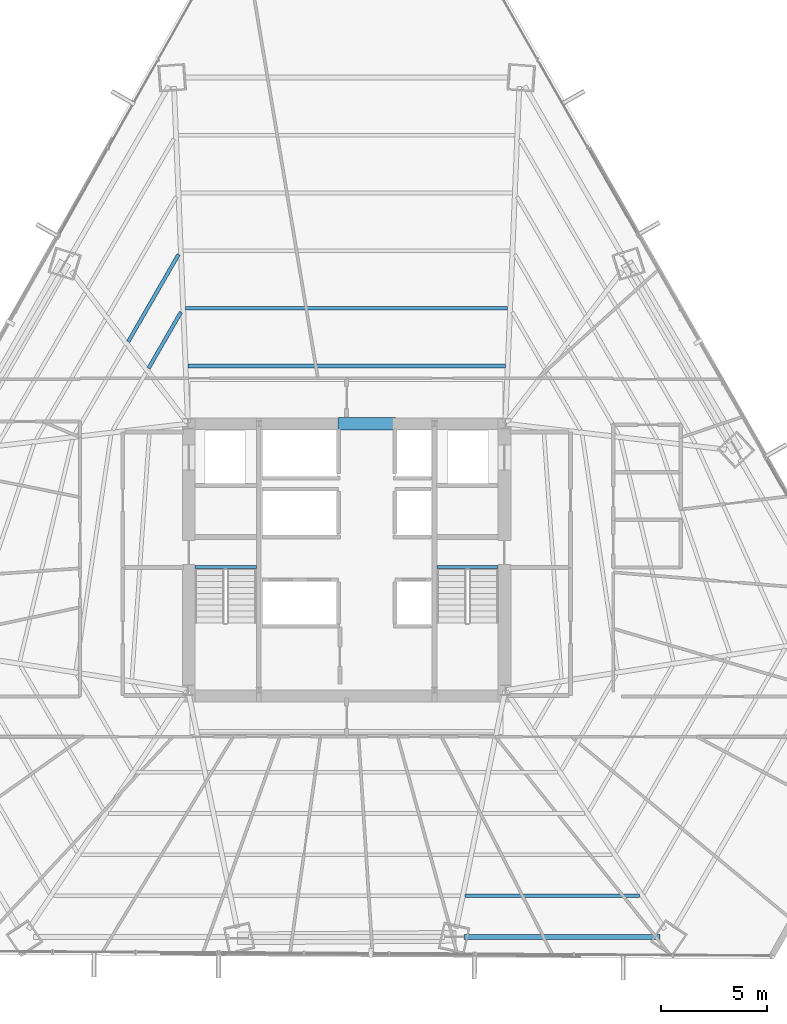
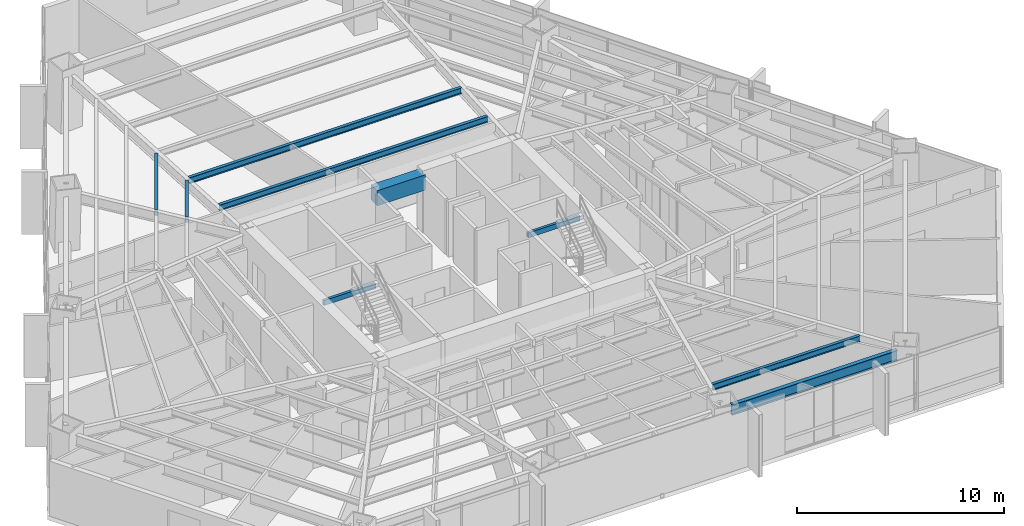
# One storey, part 14 of 39: 9 beams.
"""IFC4 building model written with IfcOpenShell, lengths in metres."""

from ifc_helpers import new_model, si_unit, direction, frame, origin, origin_2d, place, context, subcontext, project, spatial, rectangle, hollow_rectangle, i_section, extrude, source, transform, mapped, material, material_profile, profile_set, type_object, type_shapes, element, save


model = new_model("IFC4")

# Units and contexts
model_context = context("Model", 3, precision=1e-05, world=origin(), true_north=direction((0.0, 1.0)))
body_context = subcontext(model_context, "Body", "Model", "MODEL_VIEW")
ifc_project = project(units=[si_unit("LENGTHUNIT", "METRE"), si_unit("AREAUNIT", "SQUARE_METRE"), si_unit("VOLUMEUNIT", "CUBIC_METRE"), si_unit("PLANEANGLEUNIT", "RADIAN"), si_unit("MASSUNIT", "GRAM", prefix="KILO")], contexts=[model_context])

# Site, building, storey
site_placement = place(None, origin())
site = spatial("IfcSite", under=ifc_project, at=site_placement, CompositionType="ELEMENT")
building_placement = place(site_placement, origin())
building = spatial("IfcBuilding", under=site, at=building_placement, Name="Caelisora Broadcast Tower", CompositionType="ELEMENT")
storey_placement = place(building_placement, frame((0.0, 0.0, 71.39990234375)))
storey = spatial("IfcBuildingStorey", under=building, at=storey_placement, Name="L18", CompositionType="ELEMENT", Elevation=71.39990234375)

# Beams
ifc_material_1 = material(Name="Steel Grade 350 (AS/NZS 1163 C350L0)", Category="steel")
ifc_material_profile_1 = material_profile(ifc_material_1, hollow_rectangle(XDim=0.14990234375, YDim=0.300048828125, WallThickness=0.010009765625, at=origin_2d()), Name="Steel Grade 350 (AS/NZS 1163 C350L0)")
ifc_profile_set_1 = profile_set([ifc_material_profile_1], Name="Steel Grade 350 (AS/NZS 1163 C350L0)")
beam_type_1 = type_object("IfcBeamType", Name="SB05", PredefinedType="JOIST", material=ifc_profile_set_1)
shared_shape_1 = source(origin(), body_context, "Body", "SweptSolid", [
    extrude(hollow_rectangle(XDim=0.14990234375, YDim=0.300048828125, WallThickness=0.010009765625, at=origin_2d()), origin(), (0.0, 0.0, 1.0), 2.89990234375),
])
type_shapes(beam_type_1, [shared_shape_1])
for number, where, z_axis, x_axis, name in (
    (1, (30.840087890625, 23.219970703125, 3.10009765625), (1.0, 0.0, 0.0), (0.0, 1.0, 0.0), "L18 beam SB05"),
    (2, (42.260009765625, 23.219970703125, 3.10009765625), (1.0, 0.0, 0.0), (0.0, 1.0, 0.0), "L18 beam SB05"),
):
    element("IfcBeam", number, at=place(storey_placement, frame(where, z_axis=z_axis, x_axis=x_axis)), inside=storey, type_object=beam_type_1, Name=name, PredefinedType="JOIST", context=body_context, shape_type="MappedRepresentation", body=[
        mapped(shared_shape_1, transform((0.0, 0.0, 0.0), scale=1.0)),
    ])
ifc_material_2 = material(Name="Concrete 50 MPa (AS 3600 S50)", Category="concrete")
ifc_material_profile_2 = material_profile(ifc_material_2, rectangle(XDim=0.60009765625, YDim=0.89990234375, at=origin_2d()), Name="Concrete 50 MPa (AS 3600 S50)")
ifc_profile_set_2 = profile_set([ifc_material_profile_2], Name="Concrete 50 MPa (AS 3600 S50)")
beam_type_2 = type_object("IfcBeamType", Name="CB02", PredefinedType="LINTEL", material=ifc_profile_set_2)
shared_shape_2 = source(origin(), body_context, "Body", "SweptSolid", [
    extrude(rectangle(XDim=0.60009765625, YDim=0.89990234375, at=origin_2d()), origin(), (0.0, 0.0, 1.0), 2.699951171875),
])
type_shapes(beam_type_2, [shared_shape_2])
beam_1_placement = place(storey_placement, frame((37.60009765625, 30.0, 2.9501953125), z_axis=(1.0, 0.0, 0.0), x_axis=(0.0, 1.0, 0.0)))
element("IfcBeam", 3, at=beam_1_placement, inside=storey, type_object=beam_type_2, Name="L18 beam CB02", PredefinedType="LINTEL", context=body_context, shape_type="MappedRepresentation", body=[
    mapped(shared_shape_2, transform((0.0, 0.0, 0.0), scale=1.0)),
])
ifc_material_3 = material(Name="Steel Grade 350 (AS/NZS 3679.1)", Category="steel")
ifc_material_profile_3 = material_profile(ifc_material_3, i_section(OverallWidth=0.22900390625, OverallDepth=0.611572265625, WebThickness=0.011962890625, FlangeThickness=0.01953125, at=origin_2d()), Name="Steel Grade 350 (AS/NZS 3679.1)")
ifc_profile_set_3 = profile_set([ifc_material_profile_3], Name="Steel Grade 350 (AS/NZS 3679.1)")
beam_type_3 = type_object("IfcBeamType", Name="PG03", PredefinedType="BEAM", material=ifc_profile_set_3)
shared_shape_3 = source(origin(), body_context, "Body", "SweptSolid", [
    extrude(i_section(OverallWidth=0.22900390625, OverallDepth=0.611572265625, WebThickness=0.011962890625, FlangeThickness=0.01953125, at=origin_2d()), origin(), (0.0, 0.0, 1.0), 9.2607421875),
])
type_shapes(beam_type_3, [shared_shape_3])
beam_2_placement = place(storey_placement, frame((43.550537109375, 5.739990234375, 2.9443359375), z_axis=(1.0, 0.0, 0.0), x_axis=(0.0, 1.0, 0.0)))
element("IfcBeam", 4, at=beam_2_placement, inside=storey, type_object=beam_type_3, Name="L18 beam PG03", PredefinedType="BEAM", context=body_context, shape_type="MappedRepresentation", body=[
    mapped(shared_shape_3, transform((0.0, 0.0, 0.0), scale=1.0)),
])
ifc_material_profile_4 = material_profile(ifc_material_3, i_section(OverallWidth=0.172119140625, OverallDepth=0.358642578125, WebThickness=0.008056640625, FlangeThickness=0.012939453125, at=origin_2d()), Name="Steel Grade 350 (AS/NZS 3679.1)")
ifc_profile_set_4 = profile_set([ifc_material_profile_4], Name="Steel Grade 350 (AS/NZS 3679.1)")
beam_type_4 = type_object("IfcBeamType", Name="SB02", PredefinedType="JOIST", material=ifc_profile_set_4)
shared_shape_4 = source(origin(), body_context, "Body", "SweptSolid", [
    extrude(i_section(OverallWidth=0.172119140625, OverallDepth=0.358642578125, WebThickness=0.008056640625, FlangeThickness=0.012939453125, at=origin_2d()), origin(), (0.0, 0.0, 1.0), 15.00390625),
])
beam_3_placement = place(storey_placement, frame((45.501953125, 32.725830078125, 3.07080078125), z_axis=(-1.0, 0.0, 0.0), x_axis=(0.0, -1.0, 0.0)))
element("IfcBeam", 5, at=beam_3_placement, inside=storey, type_object=beam_type_4, Name="L18 beam SB02", PredefinedType="JOIST", context=body_context, shape_type="MappedRepresentation", body=[
    mapped(shared_shape_4, transform((0.0, 0.0, 0.0), scale=1.0)),
])
shared_shape_5 = source(origin(), body_context, "Body", "SweptSolid", [
    extrude(i_section(OverallWidth=0.172119140625, OverallDepth=0.358642578125, WebThickness=0.008056640625, FlangeThickness=0.012939453125, at=origin_2d()), origin(), (0.0, 0.0, 1.0), 15.22998046875),
])
beam_4_placement = place(storey_placement, frame((45.614990234375, 35.451904296875, 3.07080078125), z_axis=(-1.0, 0.0, 0.0), x_axis=(0.0, -1.0, 0.0)))
element("IfcBeam", 6, at=beam_4_placement, inside=storey, type_object=beam_type_4, Name="L18 beam SB02", PredefinedType="JOIST", context=body_context, shape_type="MappedRepresentation", body=[
    mapped(shared_shape_5, transform((0.0, 0.0, 0.0), scale=1.0)),
])
shared_shape_6 = source(origin(), body_context, "Body", "SweptSolid", [
    extrude(i_section(OverallWidth=0.172119140625, OverallDepth=0.358642578125, WebThickness=0.008056640625, FlangeThickness=0.012939453125, at=origin_2d()), origin(), (0.0, 0.0, 1.0), 3.063232421875),
])
beam_5_placement = place(storey_placement, frame((30.1689453125, 35.27001953125, 3.07080078125), z_axis=(-0.499970827278, -0.866042246008, 0.0), x_axis=(0.866042246008, -0.499970827278, 0.0)))
element("IfcBeam", 7, at=beam_5_placement, inside=storey, type_object=beam_type_4, Name="L18 beam SB02", PredefinedType="JOIST", context=body_context, shape_type="MappedRepresentation", body=[
    mapped(shared_shape_6, transform((0.0, 0.0, 0.0), scale=1.0)),
])
shared_shape_7 = source(origin(), body_context, "Body", "SweptSolid", [
    extrude(i_section(OverallWidth=0.172119140625, OverallDepth=0.358642578125, WebThickness=0.008056640625, FlangeThickness=0.012939453125, at=origin_2d()), origin(), (0.0, 0.0, 1.0), 4.76025390625),
])
beam_6_placement = place(storey_placement, frame((30.055908203125, 37.99609375, 3.07080078125), z_axis=(-0.499956277081, -0.866050645752, 0.0), x_axis=(0.866050645752, -0.499956277081, 0.0)))
element("IfcBeam", 8, at=beam_6_placement, inside=storey, type_object=beam_type_4, Name="L18 beam SB02", PredefinedType="JOIST", context=body_context, shape_type="MappedRepresentation", body=[
    mapped(shared_shape_7, transform((0.0, 0.0, 0.0), scale=1.0)),
])
shared_shape_8 = source(origin(), body_context, "Body", "SweptSolid", [
    extrude(i_section(OverallWidth=0.172119140625, OverallDepth=0.358642578125, WebThickness=0.008056640625, FlangeThickness=0.012939453125, at=origin_2d()), origin(), (0.0, 0.0, 1.0), 8.23681640625),
])
type_shapes(beam_type_4, [shared_shape_4, shared_shape_5, shared_shape_6, shared_shape_7, shared_shape_8])
beam_7_placement = place(storey_placement, frame((43.60546875, 7.68310546875, 3.07080078125), z_axis=(1.0, 0.0, 0.0), x_axis=(0.0, 1.0, 0.0)))
element("IfcBeam", 9, at=beam_7_placement, inside=storey, type_object=beam_type_4, Name="L18 beam SB02", PredefinedType="JOIST", context=body_context, shape_type="MappedRepresentation", body=[
    mapped(shared_shape_8, transform((0.0, 0.0, 0.0), scale=1.0)),
])

save(model, "model.ifc")
